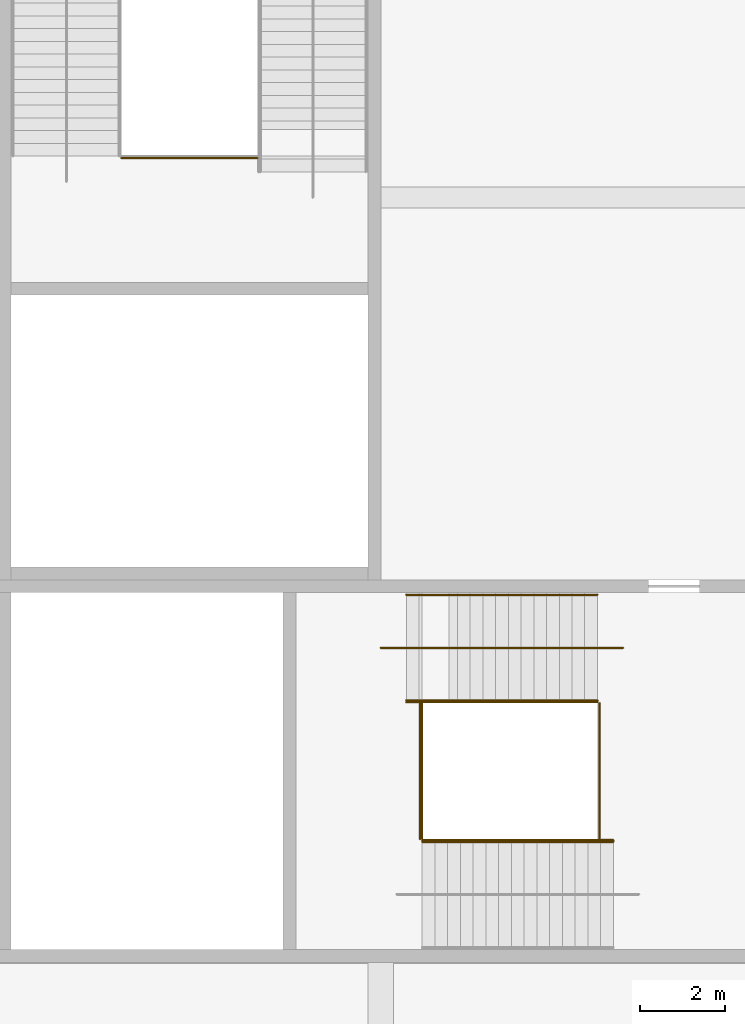
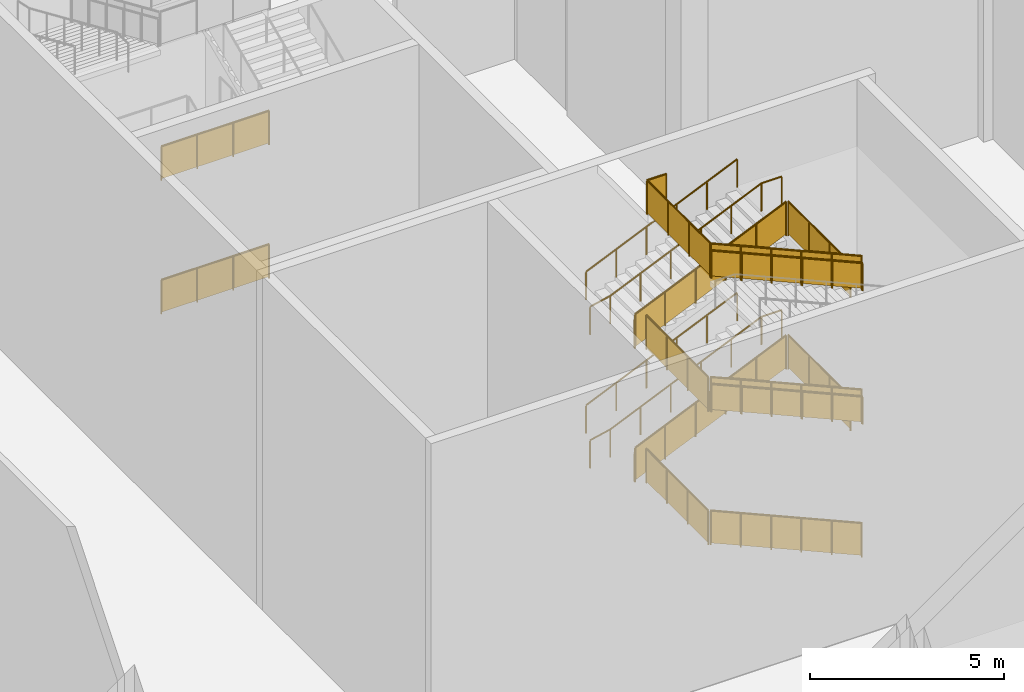
# One storey, part 143 of 182: 20 railings.
"""IFC4 building model written with IfcOpenShell, lengths in metres."""

from ifc_helpers import new_model, si_unit, direction, frame, origin, origin_2d, place, context, subcontext, project, spatial, polyline, circle, outline, extrude, material, type_object, element, save


model = new_model("IFC4")

# Units and contexts
model_context = context("Model", 3, precision=1e-05, world=origin(), true_north=direction((0.0, 1.0)))
body_context = subcontext(model_context, "Body", "Model", "MODEL_VIEW")
ifc_project = project(units=[si_unit("LENGTHUNIT", "METRE"), si_unit("AREAUNIT", "SQUARE_METRE"), si_unit("VOLUMEUNIT", "CUBIC_METRE"), si_unit("PLANEANGLEUNIT", "RADIAN"), si_unit("MASSUNIT", "GRAM", prefix="KILO")], contexts=[model_context])

# Site, building, storey
site_placement = place(None, origin())
site = spatial("IfcSite", under=ifc_project, at=site_placement, CompositionType="ELEMENT")
building_placement = place(site_placement, origin())
building = spatial("IfcBuilding", under=site, at=building_placement, Name="Silverbay Arena", CompositionType="ELEMENT")
storey_placement = place(building_placement, frame((0.0, 0.0, 11.5)))
storey = spatial("IfcBuildingStorey", under=building, at=storey_placement, Name="L02", CompositionType="ELEMENT", Elevation=11.5)

# Railings
ifc_material_1 = material(Name="Stainless steel", Category="steel")
railing_type_1 = type_object("IfcRailingType", Name="Stair guard 1100", PredefinedType="GUARDRAIL", material=ifc_material_1)
railing_1_placement = place(storey_placement, frame((86.47412109375, 38.875, 0.13134765625)))
element("IfcRailing", 1, at=railing_1_placement, inside=storey, type_object=railing_type_1, Name="Stair ST-SW1 L02 to L03 flight 1 guard left", PredefinedType="GUARDRAIL", context=body_context, shape_type="SweptSolid", body=[
    extrude(circle(Radius=0.02392578125, at=origin_2d()), frame((0.0, 0.0, 1.076171875), z_axis=(-0.916157334902, 0.0, 0.40081883402), x_axis=(0.0, -1.0, 0.0)), (0.0, 0.0, 1.0), 4.911865234375),
    extrude(outline(polyline([(-0.008056640625, 0.04638671875), (0.907958984375, 0.447265625), (0.907958984375, 1.4501953125), (-0.008056640625, 1.049560546875), (-0.008056640625, 0.04638671875)])), frame((0.0, -0.0029296875, 0.0), z_axis=(0.0, 1.0, 0.0), x_axis=(-1.0, 0.0, 0.0)), (0.0, 0.0, 1.0), 0.006103515625),
    extrude(outline(polyline([(-0.008056640625, 0.440185546875), (0.907958984375, 0.841064453125), (0.907958984375, 1.843994140625), (-0.008056640625, 1.443359375), (-0.008056640625, 0.440185546875)])), frame((-0.89990234375, -0.0029296875, 0.0), z_axis=(0.0, 1.0, 0.0), x_axis=(-1.0, 0.0, 0.0)), (0.0, 0.0, 1.0), 0.006103515625),
    extrude(outline(polyline([(-0.008056640625, 0.833984375), (0.907958984375, 1.23486328125), (0.907958984375, 2.23779296875), (-0.008056640625, 1.8369140625), (-0.008056640625, 0.833984375)])), frame((-1.800048828125, -0.0029296875, 0.0), z_axis=(0.0, 1.0, 0.0), x_axis=(-1.0, 0.0, 0.0)), (0.0, 0.0, 1.0), 0.006103515625),
    extrude(outline(polyline([(-0.008056640625, 1.227783203125), (0.907958984375, 1.62841796875), (0.907958984375, 2.631591796875), (-0.008056640625, 2.230712890625), (-0.008056640625, 1.227783203125)])), frame((-2.699951171875, -0.0029296875, 0.0), z_axis=(0.0, 1.0, 0.0), x_axis=(-1.0, 0.0, 0.0)), (0.0, 0.0, 1.0), 0.006103515625),
    extrude(outline(polyline([(-0.008056640625, 1.62158203125), (0.907958984375, 2.022216796875), (0.907958984375, 3.025146484375), (-0.008056640625, 2.62451171875), (-0.008056640625, 1.62158203125)])), frame((-3.60009765625, -0.0029296875, 0.0), z_axis=(0.0, 1.0, 0.0), x_axis=(-1.0, 0.0, 0.0)), (0.0, 0.0, 1.0), 0.006103515625),
    extrude(circle(Radius=0.02099609375, at=origin_2d()), origin(), (0.0, 0.0, 1.0), 1.052001953125),
    extrude(circle(Radius=0.02099609375, at=origin_2d()), frame((-0.89990234375, 0.0, 0.393798828125)), (0.0, 0.0, 1.0), 1.052001953125),
    extrude(circle(Radius=0.02099609375, at=origin_2d()), frame((-1.800048828125, 0.0, 0.78759765625)), (0.0, 0.0, 1.0), 1.052001953125),
    extrude(circle(Radius=0.02099609375, at=origin_2d()), frame((-2.699951171875, 0.0, 1.18115234375)), (0.0, 0.0, 1.0), 1.052001953125),
    extrude(circle(Radius=0.02099609375, at=origin_2d()), frame((-3.60009765625, 0.0, 1.574951171875)), (0.0, 0.0, 1.0), 1.052001953125),
    extrude(circle(Radius=0.02099609375, at=origin_2d()), frame((-4.5, 0.0, 1.96875)), (0.0, 0.0, 1.0), 1.052001953125),
])
railing_2_placement = place(storey_placement, frame((81.60009765625, 42.125, 2.231201171875)))
element("IfcRailing", 2, at=railing_2_placement, inside=storey, type_object=railing_type_1, Name="Stair ST-SW1 L02 to L03 flight 2 guard right", PredefinedType="GUARDRAIL", context=body_context, shape_type="SweptSolid", body=[
    extrude(circle(Radius=0.02392578125, at=origin_2d()), frame((0.0, 0.0, 1.076171875), z_axis=(0.916157334902, 0.0, 0.40081883402), x_axis=(0.0, 1.0, 0.0)), (0.0, 0.0, 1.0), 4.911865234375),
    extrude(outline(polyline([(-0.008056640625, 0.04638671875), (0.907958984375, 0.447265625), (0.907958984375, 1.4501953125), (-0.008056640625, 1.049560546875), (-0.008056640625, 0.04638671875)])), frame((0.0, 0.0029296875, 0.0), z_axis=(0.0, -1.0, 0.0), x_axis=(1.0, 0.0, 0.0)), (0.0, 0.0, 1.0), 0.006103515625),
    extrude(outline(polyline([(-0.008056640625, 0.440185546875), (0.907958984375, 0.841064453125), (0.907958984375, 1.843994140625), (-0.008056640625, 1.443359375), (-0.008056640625, 0.440185546875)])), frame((0.89990234375, 0.0029296875, 0.0), z_axis=(0.0, -1.0, 0.0), x_axis=(1.0, 0.0, 0.0)), (0.0, 0.0, 1.0), 0.006103515625),
    extrude(outline(polyline([(-0.008056640625, 0.833984375), (0.907958984375, 1.23486328125), (0.907958984375, 2.23779296875), (-0.008056640625, 1.8369140625), (-0.008056640625, 0.833984375)])), frame((1.800048828125, 0.0029296875, 0.0), z_axis=(0.0, -1.0, 0.0), x_axis=(1.0, 0.0, 0.0)), (0.0, 0.0, 1.0), 0.006103515625),
    extrude(outline(polyline([(-0.008056640625, 1.227783203125), (0.907958984375, 1.62841796875), (0.907958984375, 2.631591796875), (-0.008056640625, 2.230712890625), (-0.008056640625, 1.227783203125)])), frame((2.699951171875, 0.0029296875, 0.0), z_axis=(0.0, -1.0, 0.0), x_axis=(1.0, 0.0, 0.0)), (0.0, 0.0, 1.0), 0.006103515625),
    extrude(outline(polyline([(-0.008056640625, 1.62158203125), (0.907958984375, 2.022216796875), (0.907958984375, 3.025146484375), (-0.008056640625, 2.62451171875), (-0.008056640625, 1.62158203125)])), frame((3.60009765625, 0.0029296875, 0.0), z_axis=(0.0, -1.0, 0.0), x_axis=(1.0, 0.0, 0.0)), (0.0, 0.0, 1.0), 0.006103515625),
    extrude(circle(Radius=0.02099609375, at=origin_2d()), origin(), (0.0, 0.0, 1.0), 1.052001953125),
    extrude(circle(Radius=0.02099609375, at=origin_2d()), frame((0.89990234375, 0.0, 0.393798828125)), (0.0, 0.0, 1.0), 1.052001953125),
    extrude(circle(Radius=0.02099609375, at=origin_2d()), frame((1.800048828125, 0.0, 0.78759765625)), (0.0, 0.0, 1.0), 1.052001953125),
    extrude(circle(Radius=0.02099609375, at=origin_2d()), frame((2.699951171875, 0.0, 1.18115234375)), (0.0, 0.0, 1.0), 1.052001953125),
    extrude(circle(Radius=0.02099609375, at=origin_2d()), frame((3.60009765625, 0.0, 1.574951171875)), (0.0, 0.0, 1.0), 1.052001953125),
    extrude(circle(Radius=0.02099609375, at=origin_2d()), frame((4.5, 0.0, 1.96875)), (0.0, 0.0, 1.0), 1.052001953125),
])
railing_3_placement = place(storey_placement, frame((86.47412109375, 38.875, 4.331298828125)))
element("IfcRailing", 3, at=railing_3_placement, inside=storey, type_object=railing_type_1, Name="Stair ST-SW1 L02 to L03 flight 3 guard left", PredefinedType="GUARDRAIL", context=body_context, shape_type="SweptSolid", body=[
    extrude(circle(Radius=0.02392578125, at=origin_2d()), frame((0.0, 0.0, 1.076171875), z_axis=(-0.916157334902, 0.0, 0.40081883402), x_axis=(0.0, -1.0, 0.0)), (0.0, 0.0, 1.0), 4.911865234375),
    extrude(outline(polyline([(-0.008056640625, 0.04638671875), (0.907958984375, 0.447265625), (0.907958984375, 1.4501953125), (-0.008056640625, 1.049560546875), (-0.008056640625, 0.04638671875)])), frame((0.0, -0.0029296875, 0.0), z_axis=(0.0, 1.0, 0.0), x_axis=(-1.0, 0.0, 0.0)), (0.0, 0.0, 1.0), 0.006103515625),
    extrude(outline(polyline([(-0.008056640625, 0.440185546875), (0.907958984375, 0.841064453125), (0.907958984375, 1.843994140625), (-0.008056640625, 1.443359375), (-0.008056640625, 0.440185546875)])), frame((-0.89990234375, -0.0029296875, 0.0), z_axis=(0.0, 1.0, 0.0), x_axis=(-1.0, 0.0, 0.0)), (0.0, 0.0, 1.0), 0.006103515625),
    extrude(outline(polyline([(-0.008056640625, 0.833984375), (0.907958984375, 1.23486328125), (0.907958984375, 2.23779296875), (-0.008056640625, 1.8369140625), (-0.008056640625, 0.833984375)])), frame((-1.800048828125, -0.0029296875, 0.0), z_axis=(0.0, 1.0, 0.0), x_axis=(-1.0, 0.0, 0.0)), (0.0, 0.0, 1.0), 0.006103515625),
    extrude(outline(polyline([(-0.008056640625, 1.227783203125), (0.907958984375, 1.62841796875), (0.907958984375, 2.631591796875), (-0.008056640625, 2.230712890625), (-0.008056640625, 1.227783203125)])), frame((-2.699951171875, -0.0029296875, 0.0), z_axis=(0.0, 1.0, 0.0), x_axis=(-1.0, 0.0, 0.0)), (0.0, 0.0, 1.0), 0.006103515625),
    extrude(outline(polyline([(-0.008056640625, 1.62158203125), (0.907958984375, 2.022216796875), (0.907958984375, 3.025146484375), (-0.008056640625, 2.62451171875), (-0.008056640625, 1.62158203125)])), frame((-3.60009765625, -0.0029296875, 0.0), z_axis=(0.0, 1.0, 0.0), x_axis=(-1.0, 0.0, 0.0)), (0.0, 0.0, 1.0), 0.006103515625),
    extrude(circle(Radius=0.02099609375, at=origin_2d()), origin(), (0.0, 0.0, 1.0), 1.052001953125),
    extrude(circle(Radius=0.02099609375, at=origin_2d()), frame((-0.89990234375, 0.0, 0.393798828125)), (0.0, 0.0, 1.0), 1.052001953125),
    extrude(circle(Radius=0.02099609375, at=origin_2d()), frame((-1.800048828125, 0.0, 0.78759765625)), (0.0, 0.0, 1.0), 1.052001953125),
    extrude(circle(Radius=0.02099609375, at=origin_2d()), frame((-2.699951171875, 0.0, 1.18115234375)), (0.0, 0.0, 1.0), 1.052001953125),
    extrude(circle(Radius=0.02099609375, at=origin_2d()), frame((-3.60009765625, 0.0, 1.574951171875)), (0.0, 0.0, 1.0), 1.052001953125),
    extrude(circle(Radius=0.02099609375, at=origin_2d()), frame((-4.5, 0.0, 1.96875)), (0.0, 0.0, 1.0), 1.052001953125),
])
railing_4_placement = place(storey_placement, frame((81.60009765625, 42.125, 6.43115234375)))
element("IfcRailing", 4, at=railing_4_placement, inside=storey, type_object=railing_type_1, Name="Stair ST-SW1 L02 to L03 flight 4 guard right", PredefinedType="GUARDRAIL", context=body_context, shape_type="SweptSolid", body=[
    extrude(circle(Radius=0.02392578125, at=origin_2d()), frame((0.0, 0.0, 1.076171875), z_axis=(0.916157334902, 0.0, 0.40081883402), x_axis=(0.0, 1.0, 0.0)), (0.0, 0.0, 1.0), 4.911865234375),
    extrude(outline(polyline([(-0.008056640625, 0.04638671875), (0.907958984375, 0.447265625), (0.907958984375, 1.4501953125), (-0.008056640625, 1.049560546875), (-0.008056640625, 0.04638671875)])), frame((0.0, 0.0029296875, 0.0), z_axis=(0.0, -1.0, 0.0), x_axis=(1.0, 0.0, 0.0)), (0.0, 0.0, 1.0), 0.006103515625),
    extrude(outline(polyline([(-0.008056640625, 0.440185546875), (0.907958984375, 0.841064453125), (0.907958984375, 1.843994140625), (-0.008056640625, 1.443359375), (-0.008056640625, 0.440185546875)])), frame((0.89990234375, 0.0029296875, 0.0), z_axis=(0.0, -1.0, 0.0), x_axis=(1.0, 0.0, 0.0)), (0.0, 0.0, 1.0), 0.006103515625),
    extrude(outline(polyline([(-0.008056640625, 0.833984375), (0.907958984375, 1.23486328125), (0.907958984375, 2.23779296875), (-0.008056640625, 1.8369140625), (-0.008056640625, 0.833984375)])), frame((1.800048828125, 0.0029296875, 0.0), z_axis=(0.0, -1.0, 0.0), x_axis=(1.0, 0.0, 0.0)), (0.0, 0.0, 1.0), 0.006103515625),
    extrude(outline(polyline([(-0.008056640625, 1.227783203125), (0.907958984375, 1.62841796875), (0.907958984375, 2.631591796875), (-0.008056640625, 2.230712890625), (-0.008056640625, 1.227783203125)])), frame((2.699951171875, 0.0029296875, 0.0), z_axis=(0.0, -1.0, 0.0), x_axis=(1.0, 0.0, 0.0)), (0.0, 0.0, 1.0), 0.006103515625),
    extrude(outline(polyline([(-0.008056640625, 1.62158203125), (0.907958984375, 2.022216796875), (0.907958984375, 3.025146484375), (-0.008056640625, 2.62451171875), (-0.008056640625, 1.62158203125)])), frame((3.60009765625, 0.0029296875, 0.0), z_axis=(0.0, -1.0, 0.0), x_axis=(1.0, 0.0, 0.0)), (0.0, 0.0, 1.0), 0.006103515625),
    extrude(circle(Radius=0.02099609375, at=origin_2d()), origin(), (0.0, 0.0, 1.0), 1.052001953125),
    extrude(circle(Radius=0.02099609375, at=origin_2d()), frame((0.89990234375, 0.0, 0.393798828125)), (0.0, 0.0, 1.0), 1.052001953125),
    extrude(circle(Radius=0.02099609375, at=origin_2d()), frame((1.800048828125, 0.0, 0.78759765625)), (0.0, 0.0, 1.0), 1.052001953125),
    extrude(circle(Radius=0.02099609375, at=origin_2d()), frame((2.699951171875, 0.0, 1.18115234375)), (0.0, 0.0, 1.0), 1.052001953125),
    extrude(circle(Radius=0.02099609375, at=origin_2d()), frame((3.60009765625, 0.0, 1.574951171875)), (0.0, 0.0, 1.0), 1.052001953125),
    extrude(circle(Radius=0.02099609375, at=origin_2d()), frame((4.5, 0.0, 1.96875)), (0.0, 0.0, 1.0), 1.052001953125),
])
railing_5_placement = place(storey_placement, frame((86.47412109375, 38.875, 8.53125)))
element("IfcRailing", 5, at=railing_5_placement, inside=storey, type_object=railing_type_1, Name="Stair ST-SW1 L02 to L03 flight 5 guard left", PredefinedType="GUARDRAIL", context=body_context, shape_type="SweptSolid", body=[
    extrude(circle(Radius=0.02392578125, at=origin_2d()), frame((0.0, 0.0, 1.076171875), z_axis=(-0.916157334902, 0.0, 0.40081883402), x_axis=(0.0, -1.0, 0.0)), (0.0, 0.0, 1.0), 4.911865234375),
    extrude(outline(polyline([(-0.008056640625, 0.04638671875), (0.907958984375, 0.447265625), (0.907958984375, 1.4501953125), (-0.008056640625, 1.049560546875), (-0.008056640625, 0.04638671875)])), frame((0.0, -0.0029296875, 0.0), z_axis=(0.0, 1.0, 0.0), x_axis=(-1.0, 0.0, 0.0)), (0.0, 0.0, 1.0), 0.006103515625),
    extrude(outline(polyline([(-0.008056640625, 0.440185546875), (0.907958984375, 0.841064453125), (0.907958984375, 1.843994140625), (-0.008056640625, 1.443359375), (-0.008056640625, 0.440185546875)])), frame((-0.89990234375, -0.0029296875, 0.0), z_axis=(0.0, 1.0, 0.0), x_axis=(-1.0, 0.0, 0.0)), (0.0, 0.0, 1.0), 0.006103515625),
    extrude(outline(polyline([(-0.008056640625, 0.833984375), (0.907958984375, 1.23486328125), (0.907958984375, 2.23779296875), (-0.008056640625, 1.8369140625), (-0.008056640625, 0.833984375)])), frame((-1.800048828125, -0.0029296875, 0.0), z_axis=(0.0, 1.0, 0.0), x_axis=(-1.0, 0.0, 0.0)), (0.0, 0.0, 1.0), 0.006103515625),
    extrude(outline(polyline([(-0.008056640625, 1.227783203125), (0.907958984375, 1.62841796875), (0.907958984375, 2.631591796875), (-0.008056640625, 2.230712890625), (-0.008056640625, 1.227783203125)])), frame((-2.699951171875, -0.0029296875, 0.0), z_axis=(0.0, 1.0, 0.0), x_axis=(-1.0, 0.0, 0.0)), (0.0, 0.0, 1.0), 0.006103515625),
    extrude(outline(polyline([(-0.008056640625, 1.62158203125), (0.907958984375, 2.022216796875), (0.907958984375, 3.025146484375), (-0.008056640625, 2.62451171875), (-0.008056640625, 1.62158203125)])), frame((-3.60009765625, -0.0029296875, 0.0), z_axis=(0.0, 1.0, 0.0), x_axis=(-1.0, 0.0, 0.0)), (0.0, 0.0, 1.0), 0.006103515625),
    extrude(circle(Radius=0.02099609375, at=origin_2d()), origin(), (0.0, 0.0, 1.0), 1.052001953125),
    extrude(circle(Radius=0.02099609375, at=origin_2d()), frame((-0.89990234375, 0.0, 0.393798828125)), (0.0, 0.0, 1.0), 1.052001953125),
    extrude(circle(Radius=0.02099609375, at=origin_2d()), frame((-1.800048828125, 0.0, 0.78759765625)), (0.0, 0.0, 1.0), 1.052001953125),
    extrude(circle(Radius=0.02099609375, at=origin_2d()), frame((-2.699951171875, 0.0, 1.18115234375)), (0.0, 0.0, 1.0), 1.052001953125),
    extrude(circle(Radius=0.02099609375, at=origin_2d()), frame((-3.60009765625, 0.0, 1.574951171875)), (0.0, 0.0, 1.0), 1.052001953125),
    extrude(circle(Radius=0.02099609375, at=origin_2d()), frame((-4.5, 0.0, 1.96875)), (0.0, 0.0, 1.0), 1.052001953125),
])
for number, where, name in (
    (6, (81.92431640625, 42.10009765625, 2.10009765625), "Stair ST-SW1 L02 to L03 landing 1 guard"),
    (7, (86.14990234375, 42.10009765625, 4.199951171875), "Stair ST-SW1 L02 to L03 landing 2 guard"),
    (8, (81.92431640625, 42.10009765625, 6.300048828125), "Stair ST-SW1 L02 to L03 landing 3 guard"),
    (9, (86.14990234375, 42.10009765625, 8.39990234375), "Stair ST-SW1 L02 to L03 landing 4 guard"),
):
    element("IfcRailing", number, at=place(storey_placement, frame(where)), inside=storey, type_object=railing_type_1, Name=name, PredefinedType="GUARDRAIL", context=body_context, shape_type="SweptSolid", body=[
        extrude(circle(Radius=0.02392578125, at=origin_2d()), frame((0.0, 0.0, 1.076171875), z_axis=(0.0, -1.0, 0.0), x_axis=(1.0, 0.0, 0.0)), (0.0, 0.0, 1.0), 3.2001953125),
        extrude(outline(polyline([(-0.008056640625, 0.050048828125), (1.07470703125, 0.050048828125), (1.07470703125, 1.052978515625), (-0.008056640625, 1.052978515625), (-0.008056640625, 0.050048828125)])), frame((0.0029296875, 0.0, 0.0), z_axis=(-1.0, 0.0, 0.0), x_axis=(0.0, -1.0, 0.0)), (0.0, 0.0, 1.0), 0.006103515625),
        extrude(outline(polyline([(-0.008056640625, 0.050048828125), (1.07470703125, 0.050048828125), (1.07470703125, 1.052978515625), (-0.008056640625, 1.052978515625), (-0.008056640625, 0.050048828125)])), frame((0.0029296875, -1.066650390625, 0.0), z_axis=(-1.0, 0.0, 0.0), x_axis=(0.0, -1.0, 0.0)), (0.0, 0.0, 1.0), 0.006103515625),
        extrude(outline(polyline([(-0.008056640625, 0.050048828125), (1.07470703125, 0.050048828125), (1.07470703125, 1.052978515625), (-0.008056640625, 1.052978515625), (-0.008056640625, 0.050048828125)])), frame((0.0029296875, -2.133544921875, 0.0), z_axis=(-1.0, 0.0, 0.0), x_axis=(0.0, -1.0, 0.0)), (0.0, 0.0, 1.0), 0.006103515625),
        extrude(circle(Radius=0.02099609375, at=origin_2d()), origin(), (0.0, 0.0, 1.0), 1.052001953125),
        extrude(circle(Radius=0.02099609375, at=origin_2d()), frame((0.0, -1.066650390625, 0.0)), (0.0, 0.0, 1.0), 1.052001953125),
        extrude(circle(Radius=0.02099609375, at=origin_2d()), frame((0.0, -2.133544921875, 0.0)), (0.0, 0.0, 1.0), 1.052001953125),
        extrude(circle(Radius=0.02099609375, at=origin_2d()), frame((0.0, -3.2001953125, 0.0)), (0.0, 0.0, 1.0), 1.052001953125),
    ])
railing_6_placement = place(storey_placement, frame((82.550048828125, 42.14990234375, 10.5)))
element("IfcRailing", 10, at=railing_6_placement, inside=storey, type_object=railing_type_1, Name="Stair ST-SW1 L02 to L03 landing 5 guard", PredefinedType="GUARDRAIL", context=body_context, shape_type="SweptSolid", body=[
    extrude(circle(Radius=0.02392578125, at=origin_2d()), frame((0.0, 0.0, 1.076171875), z_axis=(-1.0, 0.0, 0.0), x_axis=(0.0, -1.0, 0.0)), (0.0, 0.0, 1.0), 0.575927734375),
    extrude(outline(polyline([(-0.008056640625, 0.050048828125), (0.583984375, 0.050048828125), (0.583984375, 1.052978515625), (-0.008056640625, 1.052978515625), (-0.008056640625, 0.050048828125)])), frame((0.0, -0.0029296875, 0.0), z_axis=(0.0, 1.0, 0.0), x_axis=(-1.0, 0.0, 0.0)), (0.0, 0.0, 1.0), 0.006103515625),
    extrude(circle(Radius=0.02392578125, at=origin_2d()), frame((-0.575927734375, 0.0, 1.076171875), z_axis=(0.0, -1.0, 0.0), x_axis=(1.0, 0.0, 0.0)), (0.0, 0.0, 1.0), 3.25),
    extrude(outline(polyline([(-0.008056640625, 0.050048828125), (1.09130859375, 0.050048828125), (1.09130859375, 1.052978515625), (-0.008056640625, 1.052978515625), (-0.008056640625, 0.050048828125)])), frame((-0.572998046875, 0.0, 0.0), z_axis=(-1.0, 0.0, 0.0), x_axis=(0.0, -1.0, 0.0)), (0.0, 0.0, 1.0), 0.006103515625),
    extrude(outline(polyline([(-0.008056640625, 0.050048828125), (1.09130859375, 0.050048828125), (1.09130859375, 1.052978515625), (-0.008056640625, 1.052978515625), (-0.008056640625, 0.050048828125)])), frame((-0.572998046875, -1.083251953125, 0.0), z_axis=(-1.0, 0.0, 0.0), x_axis=(0.0, -1.0, 0.0)), (0.0, 0.0, 1.0), 0.006103515625),
    extrude(outline(polyline([(-0.008056640625, 0.050048828125), (1.09130859375, 0.050048828125), (1.09130859375, 1.052978515625), (-0.008056640625, 1.052978515625), (-0.008056640625, 0.050048828125)])), frame((-0.572998046875, -2.166748046875, 0.0), z_axis=(-1.0, 0.0, 0.0), x_axis=(0.0, -1.0, 0.0)), (0.0, 0.0, 1.0), 0.006103515625),
    extrude(circle(Radius=0.02099609375, at=origin_2d()), origin(), (0.0, 0.0, 1.0), 1.052001953125),
    extrude(circle(Radius=0.02099609375, at=origin_2d()), frame((-0.575927734375, 0.0, 0.0)), (0.0, 0.0, 1.0), 1.052001953125),
    extrude(circle(Radius=0.02099609375, at=origin_2d()), frame((-0.575927734375, -1.083251953125, 0.0)), (0.0, 0.0, 1.0), 1.052001953125),
    extrude(circle(Radius=0.02099609375, at=origin_2d()), frame((-0.575927734375, -2.166748046875, 0.0)), (0.0, 0.0, 1.0), 1.052001953125),
    extrude(circle(Radius=0.02099609375, at=origin_2d()), frame((-0.575927734375, -3.25, 0.0)), (0.0, 0.0, 1.0), 1.052001953125),
])
for number, where, name in (
    (11, (78.10009765625, 54.92431640625, 2.10009765625), "Stair ST-SW2 L02 to L03 landing 1 guard"),
    (12, (78.10009765625, 54.92431640625, 6.300048828125), "Stair ST-SW2 L02 to L03 landing 3 guard"),
):
    element("IfcRailing", number, at=place(storey_placement, frame(where)), inside=storey, type_object=railing_type_1, Name=name, PredefinedType="GUARDRAIL", context=body_context, shape_type="SweptSolid", body=[
        extrude(circle(Radius=0.02392578125, at=origin_2d()), frame((0.0, 0.0, 1.076171875), z_axis=(-1.0, 0.0, 0.0), x_axis=(0.0, -1.0, 0.0)), (0.0, 0.0, 1.0), 3.2001953125),
        extrude(outline(polyline([(-0.008056640625, 0.050048828125), (1.07470703125, 0.050048828125), (1.07470703125, 1.052978515625), (-0.008056640625, 1.052978515625), (-0.008056640625, 0.050048828125)])), frame((0.0, -0.0029296875, 0.0), z_axis=(0.0, 1.0, 0.0), x_axis=(-1.0, 0.0, 0.0)), (0.0, 0.0, 1.0), 0.006103515625),
        extrude(outline(polyline([(-0.008056640625, 0.050048828125), (1.07470703125, 0.050048828125), (1.07470703125, 1.052978515625), (-0.008056640625, 1.052978515625), (-0.008056640625, 0.050048828125)])), frame((-1.066650390625, -0.0029296875, 0.0), z_axis=(0.0, 1.0, 0.0), x_axis=(-1.0, 0.0, 0.0)), (0.0, 0.0, 1.0), 0.006103515625),
        extrude(outline(polyline([(-0.008056640625, 0.050048828125), (1.07470703125, 0.050048828125), (1.07470703125, 1.052978515625), (-0.008056640625, 1.052978515625), (-0.008056640625, 0.050048828125)])), frame((-2.133544921875, -0.0029296875, 0.0), z_axis=(0.0, 1.0, 0.0), x_axis=(-1.0, 0.0, 0.0)), (0.0, 0.0, 1.0), 0.006103515625),
        extrude(circle(Radius=0.02099609375, at=origin_2d()), origin(), (0.0, 0.0, 1.0), 1.052001953125),
        extrude(circle(Radius=0.02099609375, at=origin_2d()), frame((-1.066650390625, 0.0, 0.0)), (0.0, 0.0, 1.0), 1.052001953125),
        extrude(circle(Radius=0.02099609375, at=origin_2d()), frame((-2.133544921875, 0.0, 0.0)), (0.0, 0.0, 1.0), 1.052001953125),
        extrude(circle(Radius=0.02099609375, at=origin_2d()), frame((-3.2001953125, 0.0, 0.0)), (0.0, 0.0, 1.0), 1.052001953125),
    ])
ifc_material_2 = material(Name="Stainless steel", Category="steel")
railing_type_2 = type_object("IfcRailingType", Name="Stair handrail 900", PredefinedType="HANDRAIL", material=ifc_material_2)
for number, where, name in (
    (13, (81.60009765625, 44.64990234375, 2.231201171875), "Stair ST-SW1 L02 to L03 flight 2 handrail left"),
    (14, (81.60009765625, 42.1640625, 2.231201171875), "Stair ST-SW1 L02 to L03 flight 2 handrail right"),
):
    element("IfcRailing", number, at=place(storey_placement, frame(where)), inside=storey, type_object=railing_type_2, Name=name, PredefinedType="HANDRAIL", context=body_context, shape_type="SweptSolid", body=[
        extrude(circle(Radius=0.02392578125, at=origin_2d()), frame((0.0, 0.0, 0.8759765625), z_axis=(0.916157334902, 0.0, 0.40081883402), x_axis=(0.0, 1.0, 0.0)), (0.0, 0.0, 1.0), 4.911865234375),
        extrude(circle(Radius=0.02099609375, at=origin_2d()), origin(), (0.0, 0.0, 1.0), 0.851806640625),
        extrude(circle(Radius=0.02099609375, at=origin_2d()), frame((0.89990234375, 0.0, 0.393798828125)), (0.0, 0.0, 1.0), 0.851806640625),
        extrude(circle(Radius=0.02099609375, at=origin_2d()), frame((1.800048828125, 0.0, 0.78759765625)), (0.0, 0.0, 1.0), 0.851806640625),
        extrude(circle(Radius=0.02099609375, at=origin_2d()), frame((2.699951171875, 0.0, 1.18115234375)), (0.0, 0.0, 1.0), 0.851806640625),
        extrude(circle(Radius=0.02099609375, at=origin_2d()), frame((3.60009765625, 0.0, 1.574951171875)), (0.0, 0.0, 1.0), 0.851806640625),
        extrude(circle(Radius=0.02099609375, at=origin_2d()), frame((4.5, 0.0, 1.96875)), (0.0, 0.0, 1.0), 0.851806640625),
    ])
railing_7_placement = place(storey_placement, frame((81.0, 43.39990234375, 2.10009765625)))
element("IfcRailing", 15, at=railing_7_placement, inside=storey, type_object=railing_type_2, Name="Stair ST-SW1 L02 to L03 flight 2 central handrail", PredefinedType="HANDRAIL", context=body_context, shape_type="SweptSolid", body=[
    extrude(circle(Radius=0.02392578125, at=origin_2d()), frame((0.0, 0.0, 0.8759765625), z_axis=(0.976957027196, 0.0, 0.213436095852), x_axis=(0.0, 1.0, 0.0)), (0.0, 0.0, 1.0), 0.6142578125),
    extrude(circle(Radius=0.02392578125, at=origin_2d()), frame((0.60009765625, 0.0, 1.0068359375), z_axis=(0.916157334902, 0.0, 0.40081883402), x_axis=(0.0, 1.0, 0.0)), (0.0, 0.0, 1.0), 4.911865234375),
    extrude(circle(Radius=0.02392578125, at=origin_2d()), frame((5.10009765625, 0.0, 2.9755859375), z_axis=(1.0, 0.0, 0.0), x_axis=(0.0, 1.0, 0.0)), (0.0, 0.0, 1.0), 0.599853515625),
    extrude(circle(Radius=0.02099609375, at=origin_2d()), origin(), (0.0, 0.0, 1.0), 0.851806640625),
    extrude(circle(Radius=0.02099609375, at=origin_2d()), frame((0.60009765625, 0.0, 0.131103515625)), (0.0, 0.0, 1.0), 0.851806640625),
    extrude(circle(Radius=0.02099609375, at=origin_2d()), frame((1.5, 0.0, 0.52490234375)), (0.0, 0.0, 1.0), 0.851806640625),
    extrude(circle(Radius=0.02099609375, at=origin_2d()), frame((2.400146484375, 0.0, 0.918701171875)), (0.0, 0.0, 1.0), 0.851806640625),
    extrude(circle(Radius=0.02099609375, at=origin_2d()), frame((3.300048828125, 0.0, 1.312255859375)), (0.0, 0.0, 1.0), 0.851806640625),
    extrude(circle(Radius=0.02099609375, at=origin_2d()), frame((4.2001953125, 0.0, 1.7060546875)), (0.0, 0.0, 1.0), 0.851806640625),
    extrude(circle(Radius=0.02099609375, at=origin_2d()), frame((5.10009765625, 0.0, 2.099853515625)), (0.0, 0.0, 1.0), 0.851806640625),
    extrude(circle(Radius=0.02099609375, at=origin_2d()), frame((5.699951171875, 0.0, 2.099853515625)), (0.0, 0.0, 1.0), 0.851806640625),
])
railing_8_placement = place(storey_placement, frame((86.47412109375, 38.8359375, 4.331298828125)))
element("IfcRailing", 16, at=railing_8_placement, inside=storey, type_object=railing_type_2, Name="Stair ST-SW1 L02 to L03 flight 3 handrail left", PredefinedType="HANDRAIL", context=body_context, shape_type="SweptSolid", body=[
    extrude(circle(Radius=0.02392578125, at=origin_2d()), frame((0.0, 0.0, 0.8759765625), z_axis=(-0.916157334902, 0.0, 0.40081883402), x_axis=(0.0, -1.0, 0.0)), (0.0, 0.0, 1.0), 4.911865234375),
    extrude(circle(Radius=0.02099609375, at=origin_2d()), origin(), (0.0, 0.0, 1.0), 0.851806640625),
    extrude(circle(Radius=0.02099609375, at=origin_2d()), frame((-0.89990234375, 0.0, 0.393798828125)), (0.0, 0.0, 1.0), 0.851806640625),
    extrude(circle(Radius=0.02099609375, at=origin_2d()), frame((-1.800048828125, 0.0, 0.78759765625)), (0.0, 0.0, 1.0), 0.851806640625),
    extrude(circle(Radius=0.02099609375, at=origin_2d()), frame((-2.699951171875, 0.0, 1.18115234375)), (0.0, 0.0, 1.0), 0.851806640625),
    extrude(circle(Radius=0.02099609375, at=origin_2d()), frame((-3.60009765625, 0.0, 1.574951171875)), (0.0, 0.0, 1.0), 0.851806640625),
    extrude(circle(Radius=0.02099609375, at=origin_2d()), frame((-4.5, 0.0, 1.96875)), (0.0, 0.0, 1.0), 0.851806640625),
])
for number, where, name in (
    (17, (81.60009765625, 44.64990234375, 6.43115234375), "Stair ST-SW1 L02 to L03 flight 4 handrail left"),
    (18, (81.60009765625, 42.1640625, 6.43115234375), "Stair ST-SW1 L02 to L03 flight 4 handrail right"),
):
    element("IfcRailing", number, at=place(storey_placement, frame(where)), inside=storey, type_object=railing_type_2, Name=name, PredefinedType="HANDRAIL", context=body_context, shape_type="SweptSolid", body=[
        extrude(circle(Radius=0.02392578125, at=origin_2d()), frame((0.0, 0.0, 0.8759765625), z_axis=(0.916157334902, 0.0, 0.40081883402), x_axis=(0.0, 1.0, 0.0)), (0.0, 0.0, 1.0), 4.911865234375),
        extrude(circle(Radius=0.02099609375, at=origin_2d()), origin(), (0.0, 0.0, 1.0), 0.851806640625),
        extrude(circle(Radius=0.02099609375, at=origin_2d()), frame((0.89990234375, 0.0, 0.393798828125)), (0.0, 0.0, 1.0), 0.851806640625),
        extrude(circle(Radius=0.02099609375, at=origin_2d()), frame((1.800048828125, 0.0, 0.78759765625)), (0.0, 0.0, 1.0), 0.851806640625),
        extrude(circle(Radius=0.02099609375, at=origin_2d()), frame((2.699951171875, 0.0, 1.18115234375)), (0.0, 0.0, 1.0), 0.851806640625),
        extrude(circle(Radius=0.02099609375, at=origin_2d()), frame((3.60009765625, 0.0, 1.574951171875)), (0.0, 0.0, 1.0), 0.851806640625),
        extrude(circle(Radius=0.02099609375, at=origin_2d()), frame((4.5, 0.0, 1.96875)), (0.0, 0.0, 1.0), 0.851806640625),
    ])
railing_9_placement = place(storey_placement, frame((81.0, 43.39990234375, 6.300048828125)))
element("IfcRailing", 19, at=railing_9_placement, inside=storey, type_object=railing_type_2, Name="Stair ST-SW1 L02 to L03 flight 4 central handrail", PredefinedType="HANDRAIL", context=body_context, shape_type="SweptSolid", body=[
    extrude(circle(Radius=0.02392578125, at=origin_2d()), frame((0.0, 0.0, 0.8759765625), z_axis=(0.976957027196, 0.0, 0.213436095852), x_axis=(0.0, 1.0, 0.0)), (0.0, 0.0, 1.0), 0.6142578125),
    extrude(circle(Radius=0.02392578125, at=origin_2d()), frame((0.60009765625, 0.0, 1.0068359375), z_axis=(0.916157334902, 0.0, 0.40081883402), x_axis=(0.0, 1.0, 0.0)), (0.0, 0.0, 1.0), 4.911865234375),
    extrude(circle(Radius=0.02392578125, at=origin_2d()), frame((5.10009765625, 0.0, 2.9755859375), z_axis=(1.0, 0.0, 0.0), x_axis=(0.0, 1.0, 0.0)), (0.0, 0.0, 1.0), 0.599853515625),
    extrude(circle(Radius=0.02099609375, at=origin_2d()), origin(), (0.0, 0.0, 1.0), 0.851806640625),
    extrude(circle(Radius=0.02099609375, at=origin_2d()), frame((0.60009765625, 0.0, 0.131103515625)), (0.0, 0.0, 1.0), 0.851806640625),
    extrude(circle(Radius=0.02099609375, at=origin_2d()), frame((1.5, 0.0, 0.52490234375)), (0.0, 0.0, 1.0), 0.851806640625),
    extrude(circle(Radius=0.02099609375, at=origin_2d()), frame((2.400146484375, 0.0, 0.918701171875)), (0.0, 0.0, 1.0), 0.851806640625),
    extrude(circle(Radius=0.02099609375, at=origin_2d()), frame((3.300048828125, 0.0, 1.312255859375)), (0.0, 0.0, 1.0), 0.851806640625),
    extrude(circle(Radius=0.02099609375, at=origin_2d()), frame((4.2001953125, 0.0, 1.7060546875)), (0.0, 0.0, 1.0), 0.851806640625),
    extrude(circle(Radius=0.02099609375, at=origin_2d()), frame((5.10009765625, 0.0, 2.099853515625)), (0.0, 0.0, 1.0), 0.851806640625),
    extrude(circle(Radius=0.02099609375, at=origin_2d()), frame((5.699951171875, 0.0, 2.099853515625)), (0.0, 0.0, 1.0), 0.851806640625),
])
railing_10_placement = place(storey_placement, frame((86.47412109375, 38.8359375, 8.53125)))
element("IfcRailing", 20, at=railing_10_placement, inside=storey, type_object=railing_type_2, Name="Stair ST-SW1 L02 to L03 flight 5 handrail left", PredefinedType="HANDRAIL", context=body_context, shape_type="SweptSolid", body=[
    extrude(circle(Radius=0.02392578125, at=origin_2d()), frame((0.0, 0.0, 0.8759765625), z_axis=(-0.916157334902, 0.0, 0.40081883402), x_axis=(0.0, -1.0, 0.0)), (0.0, 0.0, 1.0), 4.911865234375),
    extrude(circle(Radius=0.02099609375, at=origin_2d()), origin(), (0.0, 0.0, 1.0), 0.851806640625),
    extrude(circle(Radius=0.02099609375, at=origin_2d()), frame((-0.89990234375, 0.0, 0.393798828125)), (0.0, 0.0, 1.0), 0.851806640625),
    extrude(circle(Radius=0.02099609375, at=origin_2d()), frame((-1.800048828125, 0.0, 0.78759765625)), (0.0, 0.0, 1.0), 0.851806640625),
    extrude(circle(Radius=0.02099609375, at=origin_2d()), frame((-2.699951171875, 0.0, 1.18115234375)), (0.0, 0.0, 1.0), 0.851806640625),
    extrude(circle(Radius=0.02099609375, at=origin_2d()), frame((-3.60009765625, 0.0, 1.574951171875)), (0.0, 0.0, 1.0), 0.851806640625),
    extrude(circle(Radius=0.02099609375, at=origin_2d()), frame((-4.5, 0.0, 1.96875)), (0.0, 0.0, 1.0), 0.851806640625),
])

save(model, "model.ifc")
